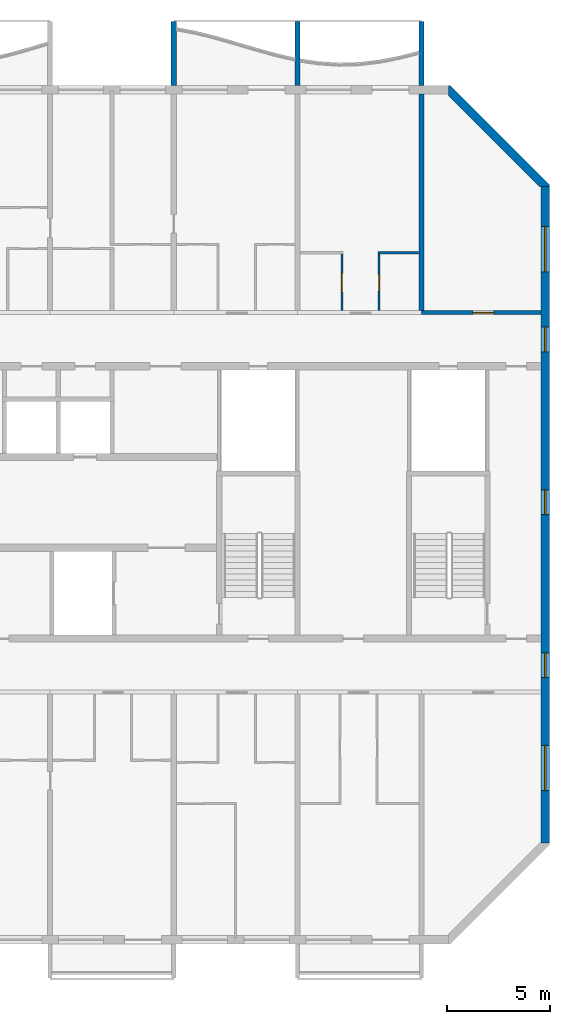
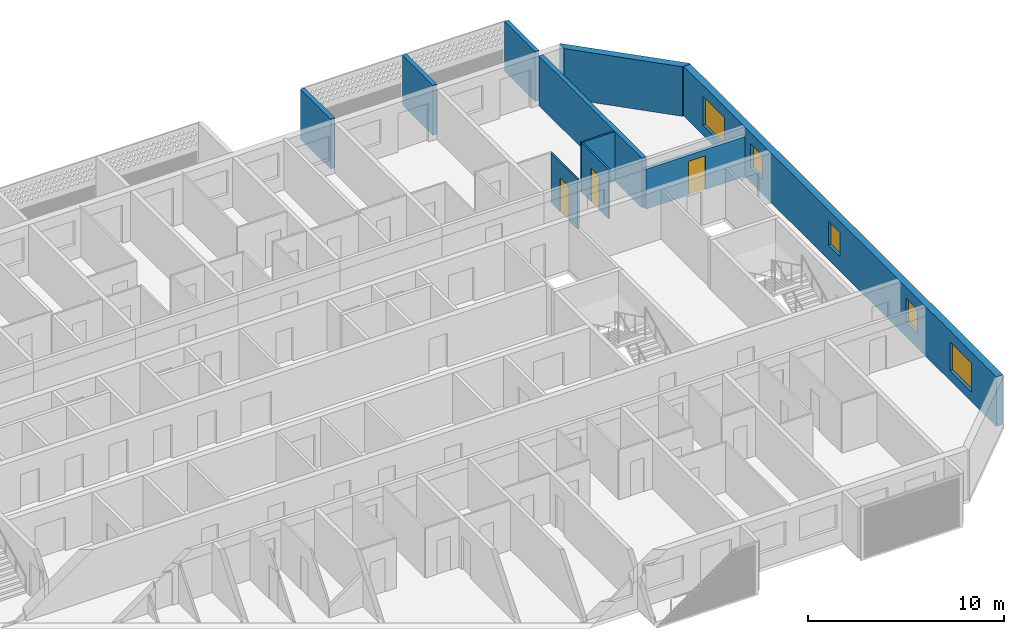
# One storey, part 11 of 27: 10 walls, 5 windows, 3 doors, 8 openings.
"""IFC4 building model written with IfcOpenShell, lengths in metres."""

from ifc_helpers import new_model, si_unit, direction, frame, frame_2d, origin, place, context, subcontext, project, spatial, polyline, rectangle, outline, extrude, source, transform, mapped, material, layer, layer_set, type_object, element, fill, save


model = new_model("IFC4")

# Units and contexts
model_context = context("Model", 3, precision=1e-05, world=origin(), true_north=direction((0.0, 1.0)))
body_context = subcontext(model_context, "Body", "Model", "MODEL_VIEW")
ifc_project = project(units=[si_unit("LENGTHUNIT", "METRE"), si_unit("AREAUNIT", "SQUARE_METRE"), si_unit("VOLUMEUNIT", "CUBIC_METRE"), si_unit("PLANEANGLEUNIT", "RADIAN"), si_unit("MASSUNIT", "GRAM", prefix="KILO")], contexts=[model_context])

# Site, building, storey
site_placement = place(None, origin())
site = spatial("IfcSite", under=ifc_project, at=site_placement, CompositionType="ELEMENT")
building_placement = place(site_placement, origin())
building = spatial("IfcBuilding", under=site, at=building_placement, Name="Poui Terraces", CompositionType="ELEMENT")
storey_placement = place(building_placement, frame((0.0, 0.0, 254.39990234375)))
storey = spatial("IfcBuildingStorey", under=building, at=storey_placement, Name="L71", CompositionType="ELEMENT", Elevation=254.39990234375)

# Wall, opening, door
ifc_material_1 = material(Name="Concrete 50 MPa", Category="concrete")
ifc_layer_1 = layer(ifc_material_1, 0.199951171875)
ifc_layer_set_1 = layer_set([ifc_layer_1], Name="Concrete 50 MPa")
wall_type_1 = type_object("IfcWallType", Name="CORRIDOR WALL 200 50MPa", PredefinedType="SHEAR", material=ifc_layer_set_1)
wall_1_placement = place(storey_placement, frame((78.0, 30.39990234375, 0.0), z_axis=(0.0, 0.0, 1.0), x_axis=(1.0, 0.0, 0.0)))
wall_1 = element("IfcWall", 1, at=wall_1_placement, inside=storey, type_object=wall_type_1, Name="CORRIDOR WALL LINE E BAY 11", PredefinedType="SHEAR", context=body_context, shape_type="SweptSolid", body=[
    extrude(rectangle(XDim=5.800048828125, YDim=0.199951171875, at=frame_2d((2.89990234375, 0.0))), origin(), (0.0, 0.0, 1.0), 2.47998046875),
])
opening_1_placement = place(wall_1_placement, frame((2.5, 0.0, 0.0)))
opening_1 = element("IfcOpeningElement", 2, at=opening_1_placement, cuts=wall_1, Name="Opening D100", PredefinedType="OPENING", context=body_context, shape_type="SweptSolid", body=[
    extrude(rectangle(XDim=1.0, YDim=2.10009765625, at=frame_2d((0.5, 1.050048828125))), frame((0.0, 0.10986328125, 0.0), z_axis=(0.0, -1.0, 0.0), x_axis=(1.0, 0.0, 0.0)), (0.0, 0.0, 1.0), 0.219970703125),
])
ifc_material_2 = material(Name="Solid core timber door", Category="wood")
door_type_1 = type_object("IfcDoorType", Name="ACCESSIBLE INTERNAL DOOR 1000 X 2100", OperationType="NOTDEFINED", PredefinedType="DOOR", material=ifc_material_2)
door_1_placement = place(opening_1_placement, origin())
door_1 = element("IfcDoor", 3, at=door_1_placement, inside=storey, type_object=door_type_1, Name="ACCESSIBLE INTERNAL DOOR 060", OperationType="SINGLE_SWING_LEFT", OverallHeight=2.10009765625, OverallWidth=1.0, PredefinedType="DOOR", context=body_context, shape_type="SweptSolid", body=[
    extrude(rectangle(XDim=1.0, YDim=2.10009765625, at=frame_2d((0.5, 1.050048828125))), frame((0.0, 0.02490234375, 0.0), z_axis=(0.0, -1.0, 0.0), x_axis=(1.0, 0.0, 0.0)), (0.0, 0.0, 1.0), 0.050048828125),
])
fill(opening_1, door_1)

# Wall
ifc_layer_2 = layer(ifc_material_1, 0.25)
ifc_layer_set_2 = layer_set([ifc_layer_2], Name="Concrete 50 MPa")
wall_type_2 = type_object("IfcWallType", Name="CROSS WALL 250 50MPa", PredefinedType="SHEAR", material=ifc_layer_set_2)
wall_2_placement = place(storey_placement, frame((78.0, 30.5, 0.0), z_axis=(0.0, 0.0, 1.0), x_axis=(0.0, 1.0, 0.0)))
element("IfcWall", 4, at=wall_2_placement, inside=storey, type_object=wall_type_2, Name="CROSS WALL LINE 14 NORTH", PredefinedType="SHEAR", context=body_context, shape_type="SweptSolid", body=[
    extrude(rectangle(XDim=10.5, YDim=0.25, at=frame_2d((5.25, 0.0))), origin(), (0.0, 0.0, 1.0), 3.080078125),
])

# Wall, openings, windows
ifc_layer_3 = layer(ifc_material_1, 0.39990234375)
ifc_layer_set_3 = layer_set([ifc_layer_3], Name="Concrete 50 MPa")
wall_type_3 = type_object("IfcWallType", Name="END WALL 400 50MPa", PredefinedType="SHEAR", material=ifc_layer_set_3)
wall_3_placement = place(storey_placement, frame((84.0, 4.682861328125, 0.0), z_axis=(0.0, 0.0, 1.0), x_axis=(0.0, 1.0, 0.0)))
wall_3 = element("IfcWall", 5, at=wall_3_placement, inside=storey, type_object=wall_type_3, Name="END WALL EAST", PredefinedType="SHEAR", context=body_context, shape_type="SweptSolid", body=[
    extrude(rectangle(XDim=31.834228515625, YDim=0.39990234375, at=frame_2d((15.9169921875, 0.0))), origin(), (0.0, 0.0, 1.0), 3.080078125),
])
opening_2_placement = place(wall_3_placement, frame((23.817138671875, 0.0, 0.89990234375)))
opening_2 = element("IfcOpeningElement", 6, at=opening_2_placement, cuts=wall_3, Name="Opening W2", PredefinedType="OPENING", context=body_context, shape_type="SweptSolid", body=[
    extrude(rectangle(XDim=1.199951171875, YDim=1.5, at=frame_2d((0.60009765625, 0.75))), frame((0.0, 0.2099609375, 0.0), z_axis=(0.0, -1.0, 0.0), x_axis=(1.0, 0.0, 0.0)), (0.0, 0.0, 1.0), 0.419921875),
])
opening_3_placement = place(wall_3_placement, frame((8.01708984375, 0.0, 0.89990234375)))
opening_3 = element("IfcOpeningElement", 7, at=opening_3_placement, cuts=wall_3, Name="Opening W2", PredefinedType="OPENING", context=body_context, shape_type="SweptSolid", body=[
    extrude(rectangle(XDim=1.199951171875, YDim=1.5, at=frame_2d((0.60009765625, 0.75))), frame((0.0, 0.2099609375, 0.0), z_axis=(0.0, -1.0, 0.0), x_axis=(1.0, 0.0, 0.0)), (0.0, 0.0, 1.0), 0.419921875),
])
opening_4_placement = place(wall_3_placement, frame((27.693603515625, 0.0, 0.60009765625)))
opening_4 = element("IfcOpeningElement", 8, at=opening_4_placement, cuts=wall_3, Name="Opening W3", PredefinedType="OPENING", context=body_context, shape_type="SweptSolid", body=[
    extrude(rectangle(XDim=2.199951171875, YDim=1.800048828125, at=frame_2d((1.10009765625, 0.89990234375))), frame((0.0, 0.2099609375, 0.0), z_axis=(0.0, -1.0, 0.0), x_axis=(1.0, 0.0, 0.0)), (0.0, 0.0, 1.0), 0.419921875),
])
opening_5_placement = place(wall_3_placement, frame((2.541015625, 0.0, 0.60009765625)))
opening_5 = element("IfcOpeningElement", 9, at=opening_5_placement, cuts=wall_3, Name="Opening W3", PredefinedType="OPENING", context=body_context, shape_type="SweptSolid", body=[
    extrude(rectangle(XDim=2.199951171875, YDim=1.800048828125, at=frame_2d((1.10009765625, 0.89990234375))), frame((0.0, 0.2099609375, 0.0), z_axis=(0.0, -1.0, 0.0), x_axis=(1.0, 0.0, 0.0)), (0.0, 0.0, 1.0), 0.419921875),
])
opening_6_placement = place(wall_3_placement, frame((15.917236328125, 0.0, 0.89990234375)))
opening_6 = element("IfcOpeningElement", 10, at=opening_6_placement, cuts=wall_3, Name="Opening W2", PredefinedType="OPENING", context=body_context, shape_type="SweptSolid", body=[
    extrude(rectangle(XDim=1.199951171875, YDim=1.5, at=frame_2d((0.60009765625, 0.75))), frame((0.0, 0.2099609375, 0.0), z_axis=(0.0, -1.0, 0.0), x_axis=(1.0, 0.0, 0.0)), (0.0, 0.0, 1.0), 0.419921875),
])
ifc_material_3 = material(Name="Clear glass in aluminium frame", Category="aluminium")
window_type_1 = type_object("IfcWindowType", Name="WINDOW 1200X1500", PartitioningType="SINGLE_PANEL", PredefinedType="WINDOW", material=ifc_material_3)
window_1_placement = place(opening_2_placement, origin())
window_1 = element("IfcWindow", 11, at=window_1_placement, inside=storey, type_object=window_type_1, Name="W2 WINDOW", OverallHeight=1.5, OverallWidth=1.199951171875, PartitioningType="SINGLE_PANEL", PredefinedType="WINDOW", context=body_context, shape_type="SweptSolid", body=[
    extrude(rectangle(XDim=1.199951171875, YDim=1.5, at=frame_2d((0.60009765625, 0.75))), frame((0.0, 0.030029296875, 0.0), z_axis=(0.0, -1.0, 0.0), x_axis=(1.0, 0.0, 0.0)), (0.0, 0.0, 1.0), 0.06005859375),
])
fill(opening_2, window_1)
window_2_placement = place(opening_3_placement, origin())
window_2 = element("IfcWindow", 12, at=window_2_placement, inside=storey, type_object=window_type_1, Name="W2 WINDOW", OverallHeight=1.5, OverallWidth=1.199951171875, PartitioningType="SINGLE_PANEL", PredefinedType="WINDOW", context=body_context, shape_type="SweptSolid", body=[
    extrude(rectangle(XDim=1.199951171875, YDim=1.5, at=frame_2d((0.60009765625, 0.75))), frame((0.0, 0.030029296875, 0.0), z_axis=(0.0, -1.0, 0.0), x_axis=(1.0, 0.0, 0.0)), (0.0, 0.0, 1.0), 0.06005859375),
])
fill(opening_3, window_2)
window_3_placement = place(opening_6_placement, origin())
window_3 = element("IfcWindow", 13, at=window_3_placement, inside=storey, type_object=window_type_1, Name="W2 WINDOW", OverallHeight=1.5, OverallWidth=1.199951171875, PartitioningType="SINGLE_PANEL", PredefinedType="WINDOW", context=body_context, shape_type="SweptSolid", body=[
    extrude(rectangle(XDim=1.199951171875, YDim=1.5, at=frame_2d((0.60009765625, 0.75))), frame((0.0, 0.030029296875, 0.0), z_axis=(0.0, -1.0, 0.0), x_axis=(1.0, 0.0, 0.0)), (0.0, 0.0, 1.0), 0.06005859375),
])
fill(opening_6, window_3)
window_type_2 = type_object("IfcWindowType", Name="WINDOW 2200X1800", PartitioningType="DOUBLE_PANEL_HORIZONTAL", PredefinedType="WINDOW", material=ifc_material_3)
window_4_placement = place(opening_4_placement, origin())
window_4 = element("IfcWindow", 14, at=window_4_placement, inside=storey, type_object=window_type_2, Name="W3 WINDOW", OverallHeight=1.800048828125, OverallWidth=2.199951171875, PartitioningType="DOUBLE_PANEL_HORIZONTAL", PredefinedType="WINDOW", context=body_context, shape_type="SweptSolid", body=[
    extrude(rectangle(XDim=2.199951171875, YDim=1.800048828125, at=frame_2d((1.10009765625, 0.89990234375))), frame((0.0, 0.030029296875, 0.0), z_axis=(0.0, -1.0, 0.0), x_axis=(1.0, 0.0, 0.0)), (0.0, 0.0, 1.0), 0.06005859375),
])
fill(opening_4, window_4)
window_5_placement = place(opening_5_placement, origin())
window_5 = element("IfcWindow", 15, at=window_5_placement, inside=storey, type_object=window_type_2, Name="W3 WINDOW", OverallHeight=1.800048828125, OverallWidth=2.199951171875, PartitioningType="DOUBLE_PANEL_HORIZONTAL", PredefinedType="WINDOW", context=body_context, shape_type="SweptSolid", body=[
    extrude(rectangle(XDim=2.199951171875, YDim=1.800048828125, at=frame_2d((1.10009765625, 0.89990234375))), frame((0.0, 0.030029296875, 0.0), z_axis=(0.0, -1.0, 0.0), x_axis=(1.0, 0.0, 0.0)), (0.0, 0.0, 1.0), 0.06005859375),
])
fill(opening_5, window_5)

# Wall
ifc_material_4 = material(Name="Plasterboard partition")
ifc_layer_4 = layer(ifc_material_4, 0.10009765625)
ifc_layer_set_4 = layer_set([ifc_layer_4], Name="Plasterboard partition")
wall_type_4 = type_object("IfcWallType", Name="FLAT PARTITION 100", PredefinedType="PARTITIONING", material=ifc_layer_set_4)
wall_4_placement = place(storey_placement, frame((75.89990234375, 33.300048828125, 0.0), z_axis=(0.0, 0.0, 1.0), x_axis=(1.0, 0.0, 0.0)))
element("IfcWall", 16, at=wall_4_placement, inside=storey, type_object=wall_type_4, Name="FLAT PARTITION 100", PredefinedType="PARTITIONING", context=body_context, shape_type="SweptSolid", body=[
    extrude(rectangle(XDim=1.965087890625, YDim=0.10009765625, at=frame_2d((0.982421875, 0.0))), origin(), (0.0, 0.0, 1.0), 3.080078125),
])

# Wall, opening, door
wall_5_placement = place(storey_placement, frame((74.14990234375, 30.510009765625, 0.0), z_axis=(0.0, 0.0, 1.0), x_axis=(0.0, 1.0, 0.0)))
wall_5 = element("IfcWall", 17, at=wall_5_placement, inside=storey, type_object=wall_type_4, Name="FLAT PARTITION 100", PredefinedType="PARTITIONING", context=body_context, shape_type="SweptSolid", body=[
    extrude(rectangle(XDim=2.739990234375, YDim=0.10009765625, at=frame_2d((1.3701171875, 0.0))), origin(), (0.0, 0.0, 1.0), 3.080078125),
])
opening_7_placement = place(wall_5_placement, frame((0.889892578125, 0.0, 0.0)))
opening_7 = element("IfcOpeningElement", 18, at=opening_7_placement, cuts=wall_5, Name="Opening D90", PredefinedType="OPENING", context=body_context, shape_type="SweptSolid", body=[
    extrude(rectangle(XDim=0.89990234375, YDim=2.10009765625, at=frame_2d((0.449951171875, 1.050048828125))), frame((0.0, 0.06005859375, 0.0), z_axis=(0.0, -1.0, 0.0), x_axis=(1.0, 0.0, 0.0)), (0.0, 0.0, 1.0), 0.1201171875),
])
door_type_2 = type_object("IfcDoorType", Name="INTERNAL DOOR 900 X 2100", OperationType="NOTDEFINED", PredefinedType="DOOR", material=ifc_material_2)
door_2_placement = place(opening_7_placement, origin())
door_2 = element("IfcDoor", 19, at=door_2_placement, inside=storey, type_object=door_type_2, Name="INTERNAL DOOR 057", OperationType="SINGLE_SWING_RIGHT", OverallHeight=2.10009765625, OverallWidth=0.89990234375, PredefinedType="DOOR", context=body_context, shape_type="SweptSolid", body=[
    extrude(rectangle(XDim=0.89990234375, YDim=2.10009765625, at=frame_2d((0.449951171875, 1.050048828125))), frame((0.0, 0.02490234375, 0.0), z_axis=(0.0, -1.0, 0.0), x_axis=(1.0, 0.0, 0.0)), (0.0, 0.0, 1.0), 0.050048828125),
])
fill(opening_7, door_2)

wall_6_placement = place(storey_placement, frame((75.949951171875, 30.510009765625, 0.0), z_axis=(0.0, 0.0, 1.0), x_axis=(0.0, 1.0, 0.0)))
wall_6 = element("IfcWall", 20, at=wall_6_placement, inside=storey, type_object=wall_type_4, Name="FLAT PARTITION 100", PredefinedType="PARTITIONING", context=body_context, shape_type="SweptSolid", body=[
    extrude(rectangle(XDim=2.739990234375, YDim=0.10009765625, at=frame_2d((1.3701171875, 0.0))), origin(), (0.0, 0.0, 1.0), 3.080078125),
])
opening_8_placement = place(wall_6_placement, frame((0.93994140625, 0.0, 0.0)))
opening_8 = element("IfcOpeningElement", 21, at=opening_8_placement, cuts=wall_6, Name="Opening D80", PredefinedType="OPENING", context=body_context, shape_type="SweptSolid", body=[
    extrude(rectangle(XDim=0.800048828125, YDim=2.10009765625, at=frame_2d((0.39990234375, 1.050048828125))), frame((0.0, 0.06005859375, 0.0), z_axis=(0.0, -1.0, 0.0), x_axis=(1.0, 0.0, 0.0)), (0.0, 0.0, 1.0), 0.1201171875),
])
door_type_3 = type_object("IfcDoorType", Name="BATHROOM, LAUNDRY AND STORE DOOR 800 X 2100", OperationType="NOTDEFINED", PredefinedType="DOOR", material=ifc_material_2)
door_3_placement = place(opening_8_placement, frame((0.800048828125, 0.0, 0.0), z_axis=(0.0, 0.0, 1.0), x_axis=(-1.0, 0.0, 0.0)))
door_3 = element("IfcDoor", 22, at=door_3_placement, inside=storey, type_object=door_type_3, Name="BATHROOM, LAUNDRY AND STORE DOOR 059", OperationType="SINGLE_SWING_RIGHT", OverallHeight=2.10009765625, OverallWidth=0.800048828125, PredefinedType="DOOR", context=body_context, shape_type="SweptSolid", body=[
    extrude(rectangle(XDim=0.800048828125, YDim=2.10009765625, at=frame_2d((0.39990234375, 1.050048828125))), frame((0.0, 0.02490234375, 0.0), z_axis=(0.0, -1.0, 0.0), x_axis=(1.0, 0.0, 0.0)), (0.0, 0.0, 1.0), 0.050048828125),
])
fill(opening_8, door_3)

# Walls
ifc_material_5 = material(Name="Precast concrete 40 MPa", Category="concrete")
ifc_layer_5 = layer(ifc_material_5, 0.39990234375)
ifc_layer_set_5 = layer_set([ifc_layer_5], Name="Precast concrete 40 MPa")
wall_type_5 = type_object("IfcWallType", Name="TERRACOTTA CLAD CHAMFER WALL 400", PredefinedType="STANDARD", material=ifc_layer_set_5)
wall_7_placement = place(storey_placement, origin())
element("IfcWall", 23, at=wall_7_placement, inside=storey, type_object=wall_type_5, Name="CHAMFER WALL CH03", PredefinedType="STANDARD", context=body_context, shape_type="SweptSolid", body=[
    extrude(outline(polyline([(84.199951171875, 36.51708984375), (84.199951171875, 36.60009765625), (79.39990234375, 41.39990234375), (79.317138671875, 41.39990234375), (79.317138671875, 40.917236328125), (83.71728515625, 36.51708984375), (84.199951171875, 36.51708984375)])), origin(), (0.0, 0.0, 1.0), 3.080078125),
])
ifc_layer_6 = layer(ifc_material_5, 0.25)
ifc_layer_set_6 = layer_set([ifc_layer_6], Name="Precast concrete 40 MPa")
wall_type_6 = type_object("IfcWallType", Name="BALCONY FIN 250", PredefinedType="STANDARD", material=ifc_layer_set_6)
shared_shape = source(origin(), body_context, "Body", "SweptSolid", [
    extrude(outline(polyline([(0.0, 0.0), (0.25, 0.0), (0.25, 3.10009765625), (0.0, 3.10009765625), (0.0, 0.0)])), origin(), (0.0, 0.0, 1.0), 3.10009765625),
])
for number, where, name in (
    (24, (65.875, 41.39990234375, 0.0), "BALCONY FIN"),
    (25, (71.875, 41.39990234375, 0.0), "BALCONY FIN"),
    (26, (77.875, 41.39990234375, 0.0), "BALCONY FIN"),
):
    element("IfcWall", number, at=place(storey_placement, frame(where)), inside=storey, type_object=wall_type_6, Name=name, PredefinedType="STANDARD", context=body_context, shape_type="MappedRepresentation", body=[
        mapped(shared_shape, transform((0.0, 0.0, 0.0))),
    ])

save(model, "model.ifc")
